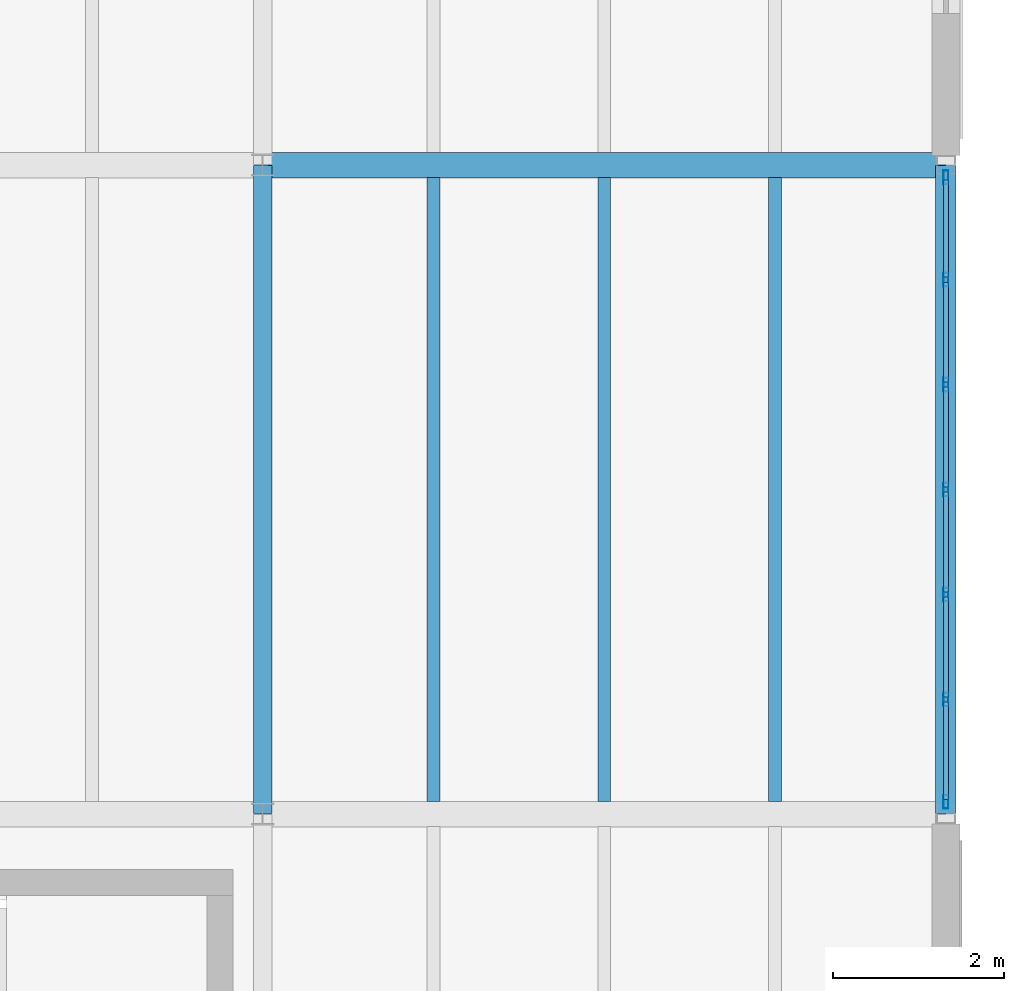
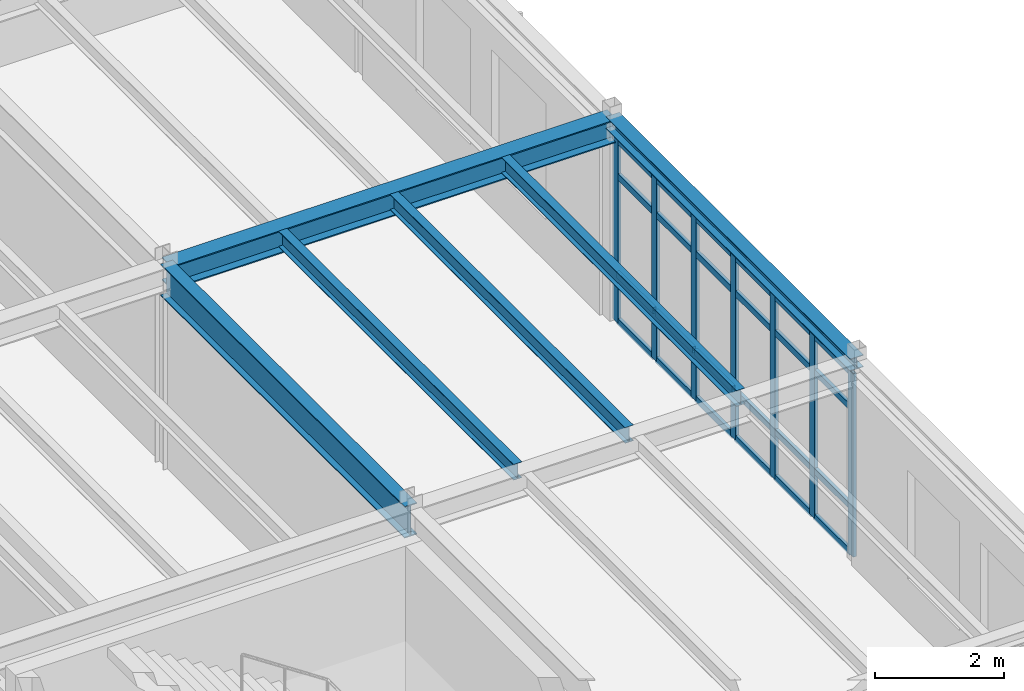
# One storey, part 61 of 114: 31 members, 6 beams, 1 element without a shape of its own.
"""IFC4 building model written with IfcOpenShell, lengths in metres."""

from ifc_helpers import new_model, si_unit, direction, frame, origin, origin_2d, place, context, subcontext, project, spatial, hollow_rectangle, i_section, extrude, material, layer, layer_set, material_profile, profile_set, type_object, element, aggregate, save


model = new_model("IFC4")

# Units and contexts
model_context = context("Model", 3, precision=1e-05, world=origin(), true_north=direction((0.0, 1.0)))
body_context = subcontext(model_context, "Body", "Model", "MODEL_VIEW")
ifc_project = project(units=[si_unit("LENGTHUNIT", "METRE"), si_unit("AREAUNIT", "SQUARE_METRE"), si_unit("VOLUMEUNIT", "CUBIC_METRE"), si_unit("PLANEANGLEUNIT", "RADIAN"), si_unit("MASSUNIT", "GRAM", prefix="KILO")], contexts=[model_context])

# Site, building, storey
site_placement = place(None, origin())
site = spatial("IfcSite", under=ifc_project, at=site_placement, CompositionType="ELEMENT")
building_placement = place(site_placement, origin())
building = spatial("IfcBuilding", under=site, at=building_placement, Name="Montecoro Central Library", CompositionType="ELEMENT")
storey_placement = place(building_placement, frame((0.0, 0.0, 13.260009765625)))
storey = spatial("IfcBuildingStorey", under=building, at=storey_placement, Name="L03", CompositionType="ELEMENT", Elevation=13.260009765625)

# Beams
ifc_material_1 = material(Name="Steel S355J2", Category="steel")
ifc_material_profile_1 = material_profile(ifc_material_1, i_section(OverallWidth=0.300048828125, OverallDepth=0.43994140625, WebThickness=0.011474609375, FlangeThickness=0.02099609375, at=origin_2d()), Name="HEA 450")
ifc_profile_set_1 = profile_set([ifc_material_profile_1], Name="Steel S355J2")
beam_type_1 = type_object("IfcBeamType", Name="BM-G-HEA450", PredefinedType="USERDEFINED", material=ifc_profile_set_1)
beam_1_placement = place(storey_placement, frame((165.0048828125, 20.199951171875, 3.60498046875), z_axis=(1.0, 0.0, 0.0), x_axis=(0.0, 1.0, 0.0)))
element("IfcBeam", 1, at=beam_1_placement, inside=storey, type_object=beam_type_1, Name="V6-L03-BX-2122-C", ObjectType="GIRDER", PredefinedType="USERDEFINED", context=body_context, shape_type="SweptSolid", body=[
    extrude(i_section(OverallWidth=0.300048828125, OverallDepth=0.43994140625, WebThickness=0.011474609375, FlangeThickness=0.02099609375, at=origin_2d()), origin(), (0.0, 0.0, 1.0), 7.990234375),
])
ifc_material_profile_2 = material_profile(ifc_material_1, i_section(OverallWidth=0.219970703125, OverallDepth=0.60009765625, WebThickness=0.011962890625, FlangeThickness=0.01904296875, at=origin_2d()), Name="IPE 600")
ifc_profile_set_2 = profile_set([ifc_material_profile_2], Name="Steel S355J2")
beam_type_2 = type_object("IfcBeamType", Name="BM-G-IPE600", PredefinedType="USERDEFINED", material=ifc_profile_set_2)
beam_2_placement = place(storey_placement, frame((165.0, 12.60498046875, 3.52490234375), z_axis=(0.0, 1.0, 0.0), x_axis=(-1.0, 0.0, 0.0)))
element("IfcBeam", 2, at=beam_2_placement, inside=storey, type_object=beam_type_2, Name="V6-L03-BY-21-BC", ObjectType="GIRDER", PredefinedType="USERDEFINED", context=body_context, shape_type="SweptSolid", body=[
    extrude(i_section(OverallWidth=0.219970703125, OverallDepth=0.60009765625, WebThickness=0.011962890625, FlangeThickness=0.01904296875, at=origin_2d()), origin(), (0.0, 0.0, 1.0), 7.590087890625),
])
ifc_material_2 = material(Name="Steel S355", Category="steel")
ifc_material_profile_3 = material_profile(ifc_material_2, i_section(OverallWidth=0.14990234375, OverallDepth=0.300048828125, WebThickness=0.007080078125, FlangeThickness=0.0107421875, at=origin_2d()), Name="IPE 300")
ifc_profile_set_3 = profile_set([ifc_material_profile_3], Name="Steel S355")
beam_type_3 = type_object("IfcBeamType", Name="BM-J-IPE300", PredefinedType="JOIST", material=ifc_profile_set_3)
for number, where, z_axis, x_axis, name in (
    (3, (167.0, 12.7470703125, 3.675048828125), (0.0, 1.0, 0.0), (-1.0, 0.0, 0.0), "V6-L03-JS-2122-BC-1"),
    (4, (169.0, 12.7470703125, 3.675048828125), (0.0, 1.0, 0.0), (-1.0, 0.0, 0.0), "V6-L03-JS-2122-BC-2"),
    (5, (171.0, 12.7470703125, 3.675048828125), (0.0, 1.0, 0.0), (-1.0, 0.0, 0.0), "V6-L03-JS-2122-BC-3"),
):
    element("IfcBeam", number, at=place(storey_placement, frame(where, z_axis=z_axis, x_axis=x_axis)), inside=storey, type_object=beam_type_3, Name=name, PredefinedType="JOIST", context=body_context, shape_type="SweptSolid", body=[
        extrude(i_section(OverallWidth=0.14990234375, OverallDepth=0.300048828125, WebThickness=0.007080078125, FlangeThickness=0.0107421875, at=origin_2d()), origin(), (0.0, 0.0, 1.0), 7.305908203125),
    ])
ifc_material_profile_4 = material_profile(ifc_material_2, i_section(OverallWidth=0.239990234375, OverallDepth=0.22998046875, WebThickness=0.007568359375, FlangeThickness=0.011962890625, at=origin_2d()), Name="HEA 240")
ifc_profile_set_4 = profile_set([ifc_material_profile_4], Name="Steel S355")
beam_type_4 = type_object("IfcBeamType", Name="BM-SP-HEA240", PredefinedType="SPANDREL", material=ifc_profile_set_4)
beam_3_placement = place(storey_placement, frame((173.0, 12.60498046875, 3.7099609375), z_axis=(0.0, 1.0, 0.0), x_axis=(-1.0, 0.0, 0.0)))
element("IfcBeam", 6, at=beam_3_placement, inside=storey, type_object=beam_type_4, Name="V6-L03-BY-22-BC", PredefinedType="SPANDREL", context=body_context, shape_type="SweptSolid", body=[
    extrude(i_section(OverallWidth=0.239990234375, OverallDepth=0.22998046875, WebThickness=0.007568359375, FlangeThickness=0.011962890625, at=origin_2d()), origin(), (0.0, 0.0, 1.0), 7.590087890625),
])

# Curtain wall, members
ifc_material_3 = material(Name="Bronze-anodised aluminium and low-E glazing", Category="aluminium")
ifc_layer = layer(ifc_material_3, 0.159912109375)
ifc_layer_set = layer_set([ifc_layer], Name="Bronze-anodised aluminium and low-E glazing")
curtain_wall_type = type_object("IfcCurtainWallType", Name="CWT-069", PredefinedType="NOTDEFINED", material=ifc_layer_set)
curtain_wall_placement = place(storey_placement, origin())
curtain_wall = element("IfcCurtainWall", 7, at=curtain_wall_placement, inside=storey, type_object=curtain_wall_type, Name="V6-L03-CW-E1", PredefinedType="NOTDEFINED")
ifc_material_4 = material(Name="Bronze-anodised aluminium", Category="aluminium")
ifc_material_profile_5 = material_profile(ifc_material_4, hollow_rectangle(XDim=0.06005859375, YDim=0.159912109375, WallThickness=0.00390625, at=origin_2d()), Name="CWM 160x60x4.0")
ifc_profile_set_5 = profile_set([ifc_material_profile_5], Name="Bronze-anodised aluminium")
member_type_1 = type_object("IfcMemberType", Name="CWM-BRZ-60", PredefinedType="MULLION", material=ifc_profile_set_5)
member_1_placement = place(storey_placement, frame((173.0, 12.742919921875, 0.0), z_axis=(0.0, 0.0, 1.0), x_axis=(-1.0, 0.0, 0.0)))
member_1 = element("IfcMember", 8, at=member_1_placement, type_object=member_type_1, Name="CW-069 mullion 1", PredefinedType="MULLION", context=body_context, shape_type="SweptSolid", body=[
    extrude(hollow_rectangle(XDim=0.06005859375, YDim=0.159912109375, WallThickness=0.00390625, at=origin_2d()), origin(), (0.0, 0.0, 1.0), 3.47998046875),
])
member_2_placement = place(storey_placement, frame((173.0, 13.94189453125, 0.0), z_axis=(0.0, 0.0, 1.0), x_axis=(-1.0, 0.0, 0.0)))
member_2 = element("IfcMember", 9, at=member_2_placement, type_object=member_type_1, Name="CW-069 mullion 2", PredefinedType="MULLION", context=body_context, shape_type="SweptSolid", body=[
    extrude(hollow_rectangle(XDim=0.06005859375, YDim=0.159912109375, WallThickness=0.00390625, at=origin_2d()), origin(), (0.0, 0.0, 1.0), 3.47998046875),
])
member_3_placement = place(storey_placement, frame((173.0, 15.1708984375, 0.0), z_axis=(0.0, 0.0, 1.0), x_axis=(-1.0, 0.0, 0.0)))
member_3 = element("IfcMember", 10, at=member_3_placement, type_object=member_type_1, Name="CW-069 mullion 3", PredefinedType="MULLION", context=body_context, shape_type="SweptSolid", body=[
    extrude(hollow_rectangle(XDim=0.06005859375, YDim=0.159912109375, WallThickness=0.00390625, at=origin_2d()), origin(), (0.0, 0.0, 1.0), 3.47998046875),
])
member_4_placement = place(storey_placement, frame((173.0, 16.39990234375, 0.0), z_axis=(0.0, 0.0, 1.0), x_axis=(-1.0, 0.0, 0.0)))
member_4 = element("IfcMember", 11, at=member_4_placement, type_object=member_type_1, Name="CW-069 mullion 4", PredefinedType="MULLION", context=body_context, shape_type="SweptSolid", body=[
    extrude(hollow_rectangle(XDim=0.06005859375, YDim=0.159912109375, WallThickness=0.00390625, at=origin_2d()), origin(), (0.0, 0.0, 1.0), 3.47998046875),
])
member_5_placement = place(storey_placement, frame((173.0, 17.62890625, 0.0), z_axis=(0.0, 0.0, 1.0), x_axis=(-1.0, 0.0, 0.0)))
member_5 = element("IfcMember", 12, at=member_5_placement, type_object=member_type_1, Name="CW-069 mullion 5", PredefinedType="MULLION", context=body_context, shape_type="SweptSolid", body=[
    extrude(hollow_rectangle(XDim=0.06005859375, YDim=0.159912109375, WallThickness=0.00390625, at=origin_2d()), origin(), (0.0, 0.0, 1.0), 3.47998046875),
])
member_6_placement = place(storey_placement, frame((173.0, 18.85791015625, 0.0), z_axis=(0.0, 0.0, 1.0), x_axis=(-1.0, 0.0, 0.0)))
member_6 = element("IfcMember", 13, at=member_6_placement, type_object=member_type_1, Name="CW-069 mullion 6", PredefinedType="MULLION", context=body_context, shape_type="SweptSolid", body=[
    extrude(hollow_rectangle(XDim=0.06005859375, YDim=0.159912109375, WallThickness=0.00390625, at=origin_2d()), origin(), (0.0, 0.0, 1.0), 3.47998046875),
])
member_7_placement = place(storey_placement, frame((173.0, 20.056884765625, 0.0), z_axis=(0.0, 0.0, 1.0), x_axis=(-1.0, 0.0, 0.0)))
member_7 = element("IfcMember", 14, at=member_7_placement, type_object=member_type_1, Name="CW-069 mullion 7", PredefinedType="MULLION", context=body_context, shape_type="SweptSolid", body=[
    extrude(hollow_rectangle(XDim=0.06005859375, YDim=0.159912109375, WallThickness=0.00390625, at=origin_2d()), origin(), (0.0, 0.0, 1.0), 3.47998046875),
])
ifc_material_profile_6 = material_profile(ifc_material_4, hollow_rectangle(XDim=0.06005859375, YDim=0.1201171875, WallThickness=0.00390625, at=origin_2d()), Name="CWT 120x60x4.0")
ifc_profile_set_6 = profile_set([ifc_material_profile_6], Name="Bronze-anodised aluminium")
member_type_2 = type_object("IfcMemberType", Name="CWT-BRZ-60", PredefinedType="USERDEFINED", material=ifc_profile_set_6)
member_8_placement = place(storey_placement, frame((173.0, 12.77294921875, 0.030029296875), z_axis=(0.0, 1.0, 0.0), x_axis=(-1.0, 0.0, 0.0)))
member_8 = element("IfcMember", 15, at=member_8_placement, type_object=member_type_2, Name="CW-069 transom 1.1", ObjectType="TRANSOM", PredefinedType="USERDEFINED", context=body_context, shape_type="SweptSolid", body=[
    extrude(hollow_rectangle(XDim=0.06005859375, YDim=0.1201171875, WallThickness=0.00390625, at=origin_2d()), origin(), (0.0, 0.0, 1.0), 1.13916015625),
])
member_9_placement = place(storey_placement, frame((173.0, 12.77294921875, 0.89990234375), z_axis=(0.0, 1.0, 0.0), x_axis=(-1.0, 0.0, 0.0)))
member_9 = element("IfcMember", 16, at=member_9_placement, type_object=member_type_2, Name="CW-069 transom 1.2", ObjectType="TRANSOM", PredefinedType="USERDEFINED", context=body_context, shape_type="SweptSolid", body=[
    extrude(hollow_rectangle(XDim=0.06005859375, YDim=0.1201171875, WallThickness=0.00390625, at=origin_2d()), origin(), (0.0, 0.0, 1.0), 1.13916015625),
])
member_10_placement = place(storey_placement, frame((173.0, 12.77294921875, 2.780029296875), z_axis=(0.0, 1.0, 0.0), x_axis=(-1.0, 0.0, 0.0)))
member_10 = element("IfcMember", 17, at=member_10_placement, type_object=member_type_2, Name="CW-069 transom 1.3", ObjectType="TRANSOM", PredefinedType="USERDEFINED", context=body_context, shape_type="SweptSolid", body=[
    extrude(hollow_rectangle(XDim=0.06005859375, YDim=0.1201171875, WallThickness=0.00390625, at=origin_2d()), origin(), (0.0, 0.0, 1.0), 1.13916015625),
])
member_11_placement = place(storey_placement, frame((173.0, 12.77294921875, 3.449951171875), z_axis=(0.0, 1.0, 0.0), x_axis=(-1.0, 0.0, 0.0)))
member_11 = element("IfcMember", 18, at=member_11_placement, type_object=member_type_2, Name="CW-069 transom 1.4", ObjectType="TRANSOM", PredefinedType="USERDEFINED", context=body_context, shape_type="SweptSolid", body=[
    extrude(hollow_rectangle(XDim=0.06005859375, YDim=0.1201171875, WallThickness=0.00390625, at=origin_2d()), origin(), (0.0, 0.0, 1.0), 1.13916015625),
])
member_12_placement = place(storey_placement, frame((173.0, 13.971923828125, 0.030029296875), z_axis=(0.0, 1.0, 0.0), x_axis=(-1.0, 0.0, 0.0)))
member_12 = element("IfcMember", 19, at=member_12_placement, type_object=member_type_2, Name="CW-069 transom 2.1", ObjectType="TRANSOM", PredefinedType="USERDEFINED", context=body_context, shape_type="SweptSolid", body=[
    extrude(hollow_rectangle(XDim=0.06005859375, YDim=0.1201171875, WallThickness=0.00390625, at=origin_2d()), origin(), (0.0, 0.0, 1.0), 1.169189453125),
])
member_13_placement = place(storey_placement, frame((173.0, 13.971923828125, 0.89990234375), z_axis=(0.0, 1.0, 0.0), x_axis=(-1.0, 0.0, 0.0)))
member_13 = element("IfcMember", 20, at=member_13_placement, type_object=member_type_2, Name="CW-069 transom 2.2", ObjectType="TRANSOM", PredefinedType="USERDEFINED", context=body_context, shape_type="SweptSolid", body=[
    extrude(hollow_rectangle(XDim=0.06005859375, YDim=0.1201171875, WallThickness=0.00390625, at=origin_2d()), origin(), (0.0, 0.0, 1.0), 1.169189453125),
])
member_14_placement = place(storey_placement, frame((173.0, 13.971923828125, 2.780029296875), z_axis=(0.0, 1.0, 0.0), x_axis=(-1.0, 0.0, 0.0)))
member_14 = element("IfcMember", 21, at=member_14_placement, type_object=member_type_2, Name="CW-069 transom 2.3", ObjectType="TRANSOM", PredefinedType="USERDEFINED", context=body_context, shape_type="SweptSolid", body=[
    extrude(hollow_rectangle(XDim=0.06005859375, YDim=0.1201171875, WallThickness=0.00390625, at=origin_2d()), origin(), (0.0, 0.0, 1.0), 1.169189453125),
])
member_15_placement = place(storey_placement, frame((173.0, 13.971923828125, 3.449951171875), z_axis=(0.0, 1.0, 0.0), x_axis=(-1.0, 0.0, 0.0)))
member_15 = element("IfcMember", 22, at=member_15_placement, type_object=member_type_2, Name="CW-069 transom 2.4", ObjectType="TRANSOM", PredefinedType="USERDEFINED", context=body_context, shape_type="SweptSolid", body=[
    extrude(hollow_rectangle(XDim=0.06005859375, YDim=0.1201171875, WallThickness=0.00390625, at=origin_2d()), origin(), (0.0, 0.0, 1.0), 1.169189453125),
])
member_16_placement = place(storey_placement, frame((173.0, 15.200927734375, 0.030029296875), z_axis=(0.0, 1.0, 0.0), x_axis=(-1.0, 0.0, 0.0)))
member_16 = element("IfcMember", 23, at=member_16_placement, type_object=member_type_2, Name="CW-069 transom 3.1", ObjectType="TRANSOM", PredefinedType="USERDEFINED", context=body_context, shape_type="SweptSolid", body=[
    extrude(hollow_rectangle(XDim=0.06005859375, YDim=0.1201171875, WallThickness=0.00390625, at=origin_2d()), origin(), (0.0, 0.0, 1.0), 1.169189453125),
])
member_17_placement = place(storey_placement, frame((173.0, 15.200927734375, 0.89990234375), z_axis=(0.0, 1.0, 0.0), x_axis=(-1.0, 0.0, 0.0)))
member_17 = element("IfcMember", 24, at=member_17_placement, type_object=member_type_2, Name="CW-069 transom 3.2", ObjectType="TRANSOM", PredefinedType="USERDEFINED", context=body_context, shape_type="SweptSolid", body=[
    extrude(hollow_rectangle(XDim=0.06005859375, YDim=0.1201171875, WallThickness=0.00390625, at=origin_2d()), origin(), (0.0, 0.0, 1.0), 1.169189453125),
])
member_18_placement = place(storey_placement, frame((173.0, 15.200927734375, 2.780029296875), z_axis=(0.0, 1.0, 0.0), x_axis=(-1.0, 0.0, 0.0)))
member_18 = element("IfcMember", 25, at=member_18_placement, type_object=member_type_2, Name="CW-069 transom 3.3", ObjectType="TRANSOM", PredefinedType="USERDEFINED", context=body_context, shape_type="SweptSolid", body=[
    extrude(hollow_rectangle(XDim=0.06005859375, YDim=0.1201171875, WallThickness=0.00390625, at=origin_2d()), origin(), (0.0, 0.0, 1.0), 1.169189453125),
])
member_19_placement = place(storey_placement, frame((173.0, 15.200927734375, 3.449951171875), z_axis=(0.0, 1.0, 0.0), x_axis=(-1.0, 0.0, 0.0)))
member_19 = element("IfcMember", 26, at=member_19_placement, type_object=member_type_2, Name="CW-069 transom 3.4", ObjectType="TRANSOM", PredefinedType="USERDEFINED", context=body_context, shape_type="SweptSolid", body=[
    extrude(hollow_rectangle(XDim=0.06005859375, YDim=0.1201171875, WallThickness=0.00390625, at=origin_2d()), origin(), (0.0, 0.0, 1.0), 1.169189453125),
])
member_20_placement = place(storey_placement, frame((173.0, 16.429931640625, 0.030029296875), z_axis=(0.0, 1.0, 0.0), x_axis=(-1.0, 0.0, 0.0)))
member_20 = element("IfcMember", 27, at=member_20_placement, type_object=member_type_2, Name="CW-069 transom 4.1", ObjectType="TRANSOM", PredefinedType="USERDEFINED", context=body_context, shape_type="SweptSolid", body=[
    extrude(hollow_rectangle(XDim=0.06005859375, YDim=0.1201171875, WallThickness=0.00390625, at=origin_2d()), origin(), (0.0, 0.0, 1.0), 1.169189453125),
])
member_21_placement = place(storey_placement, frame((173.0, 16.429931640625, 0.89990234375), z_axis=(0.0, 1.0, 0.0), x_axis=(-1.0, 0.0, 0.0)))
member_21 = element("IfcMember", 28, at=member_21_placement, type_object=member_type_2, Name="CW-069 transom 4.2", ObjectType="TRANSOM", PredefinedType="USERDEFINED", context=body_context, shape_type="SweptSolid", body=[
    extrude(hollow_rectangle(XDim=0.06005859375, YDim=0.1201171875, WallThickness=0.00390625, at=origin_2d()), origin(), (0.0, 0.0, 1.0), 1.169189453125),
])
member_22_placement = place(storey_placement, frame((173.0, 16.429931640625, 2.780029296875), z_axis=(0.0, 1.0, 0.0), x_axis=(-1.0, 0.0, 0.0)))
member_22 = element("IfcMember", 29, at=member_22_placement, type_object=member_type_2, Name="CW-069 transom 4.3", ObjectType="TRANSOM", PredefinedType="USERDEFINED", context=body_context, shape_type="SweptSolid", body=[
    extrude(hollow_rectangle(XDim=0.06005859375, YDim=0.1201171875, WallThickness=0.00390625, at=origin_2d()), origin(), (0.0, 0.0, 1.0), 1.169189453125),
])
member_23_placement = place(storey_placement, frame((173.0, 16.429931640625, 3.449951171875), z_axis=(0.0, 1.0, 0.0), x_axis=(-1.0, 0.0, 0.0)))
member_23 = element("IfcMember", 30, at=member_23_placement, type_object=member_type_2, Name="CW-069 transom 4.4", ObjectType="TRANSOM", PredefinedType="USERDEFINED", context=body_context, shape_type="SweptSolid", body=[
    extrude(hollow_rectangle(XDim=0.06005859375, YDim=0.1201171875, WallThickness=0.00390625, at=origin_2d()), origin(), (0.0, 0.0, 1.0), 1.169189453125),
])
member_24_placement = place(storey_placement, frame((173.0, 17.658935546875, 0.030029296875), z_axis=(0.0, 1.0, 0.0), x_axis=(-1.0, 0.0, 0.0)))
member_24 = element("IfcMember", 31, at=member_24_placement, type_object=member_type_2, Name="CW-069 transom 5.1", ObjectType="TRANSOM", PredefinedType="USERDEFINED", context=body_context, shape_type="SweptSolid", body=[
    extrude(hollow_rectangle(XDim=0.06005859375, YDim=0.1201171875, WallThickness=0.00390625, at=origin_2d()), origin(), (0.0, 0.0, 1.0), 1.1689453125),
])
member_25_placement = place(storey_placement, frame((173.0, 17.658935546875, 0.89990234375), z_axis=(0.0, 1.0, 0.0), x_axis=(-1.0, 0.0, 0.0)))
member_25 = element("IfcMember", 32, at=member_25_placement, type_object=member_type_2, Name="CW-069 transom 5.2", ObjectType="TRANSOM", PredefinedType="USERDEFINED", context=body_context, shape_type="SweptSolid", body=[
    extrude(hollow_rectangle(XDim=0.06005859375, YDim=0.1201171875, WallThickness=0.00390625, at=origin_2d()), origin(), (0.0, 0.0, 1.0), 1.1689453125),
])
member_26_placement = place(storey_placement, frame((173.0, 17.658935546875, 2.780029296875), z_axis=(0.0, 1.0, 0.0), x_axis=(-1.0, 0.0, 0.0)))
member_26 = element("IfcMember", 33, at=member_26_placement, type_object=member_type_2, Name="CW-069 transom 5.3", ObjectType="TRANSOM", PredefinedType="USERDEFINED", context=body_context, shape_type="SweptSolid", body=[
    extrude(hollow_rectangle(XDim=0.06005859375, YDim=0.1201171875, WallThickness=0.00390625, at=origin_2d()), origin(), (0.0, 0.0, 1.0), 1.1689453125),
])
member_27_placement = place(storey_placement, frame((173.0, 17.658935546875, 3.449951171875), z_axis=(0.0, 1.0, 0.0), x_axis=(-1.0, 0.0, 0.0)))
member_27 = element("IfcMember", 34, at=member_27_placement, type_object=member_type_2, Name="CW-069 transom 5.4", ObjectType="TRANSOM", PredefinedType="USERDEFINED", context=body_context, shape_type="SweptSolid", body=[
    extrude(hollow_rectangle(XDim=0.06005859375, YDim=0.1201171875, WallThickness=0.00390625, at=origin_2d()), origin(), (0.0, 0.0, 1.0), 1.1689453125),
])
member_28_placement = place(storey_placement, frame((173.0, 18.887939453125, 0.030029296875), z_axis=(0.0, 1.0, 0.0), x_axis=(-1.0, 0.0, 0.0)))
member_28 = element("IfcMember", 35, at=member_28_placement, type_object=member_type_2, Name="CW-069 transom 6.1", ObjectType="TRANSOM", PredefinedType="USERDEFINED", context=body_context, shape_type="SweptSolid", body=[
    extrude(hollow_rectangle(XDim=0.06005859375, YDim=0.1201171875, WallThickness=0.00390625, at=origin_2d()), origin(), (0.0, 0.0, 1.0), 1.13916015625),
])
member_29_placement = place(storey_placement, frame((173.0, 18.887939453125, 0.89990234375), z_axis=(0.0, 1.0, 0.0), x_axis=(-1.0, 0.0, 0.0)))
member_29 = element("IfcMember", 36, at=member_29_placement, type_object=member_type_2, Name="CW-069 transom 6.2", ObjectType="TRANSOM", PredefinedType="USERDEFINED", context=body_context, shape_type="SweptSolid", body=[
    extrude(hollow_rectangle(XDim=0.06005859375, YDim=0.1201171875, WallThickness=0.00390625, at=origin_2d()), origin(), (0.0, 0.0, 1.0), 1.13916015625),
])
member_30_placement = place(storey_placement, frame((173.0, 18.887939453125, 2.780029296875), z_axis=(0.0, 1.0, 0.0), x_axis=(-1.0, 0.0, 0.0)))
member_30 = element("IfcMember", 37, at=member_30_placement, type_object=member_type_2, Name="CW-069 transom 6.3", ObjectType="TRANSOM", PredefinedType="USERDEFINED", context=body_context, shape_type="SweptSolid", body=[
    extrude(hollow_rectangle(XDim=0.06005859375, YDim=0.1201171875, WallThickness=0.00390625, at=origin_2d()), origin(), (0.0, 0.0, 1.0), 1.13916015625),
])
member_31_placement = place(storey_placement, frame((173.0, 18.887939453125, 3.449951171875), z_axis=(0.0, 1.0, 0.0), x_axis=(-1.0, 0.0, 0.0)))
member_31 = element("IfcMember", 38, at=member_31_placement, type_object=member_type_2, Name="CW-069 transom 6.4", ObjectType="TRANSOM", PredefinedType="USERDEFINED", context=body_context, shape_type="SweptSolid", body=[
    extrude(hollow_rectangle(XDim=0.06005859375, YDim=0.1201171875, WallThickness=0.00390625, at=origin_2d()), origin(), (0.0, 0.0, 1.0), 1.13916015625),
])
aggregate(curtain_wall, [member_1, member_2, member_3, member_4, member_5, member_6, member_7, member_8, member_9, member_10, member_11, member_12, member_13, member_14, member_15, member_16, member_17, member_18, member_19, member_20, member_21, member_22, member_23, member_24, member_25, member_26, member_27, member_28, member_29, member_30, member_31])

save(model, "model.ifc")
